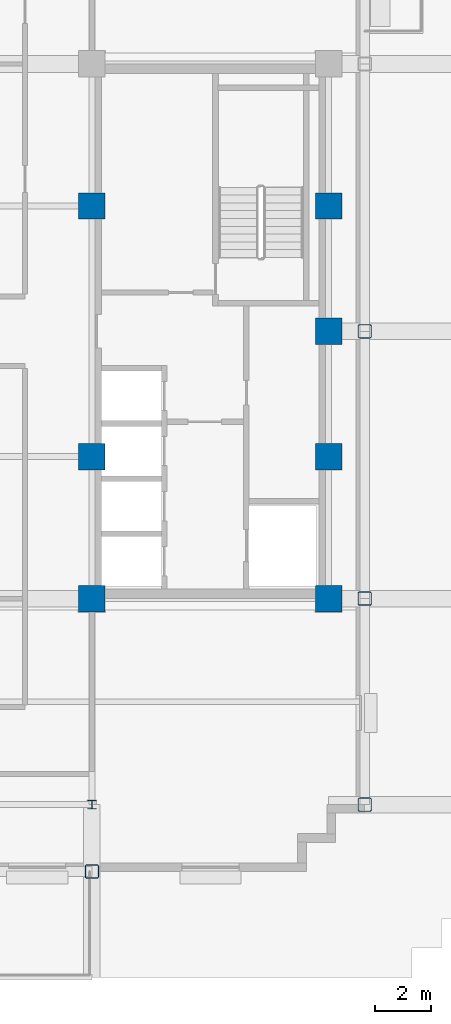
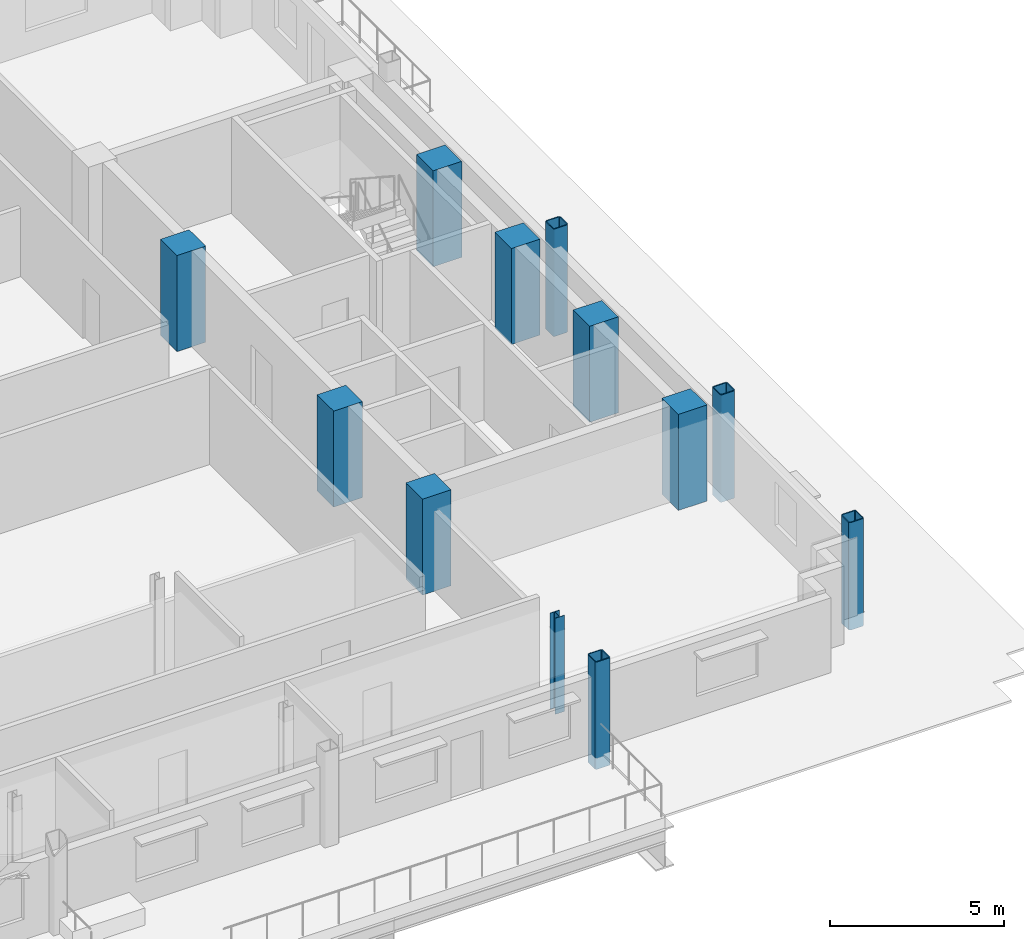
# One storey, part 2 of 16: 12 columns.
"""IFC4 building model written with IfcOpenShell, lengths in metres."""

from ifc_helpers import new_model, si_unit, direction, frame, origin, origin_2d, place, context, subcontext, project, spatial, rectangle, hollow_rectangle, i_section, extrude, material, material_profile, profile_set, type_object, element, save


model = new_model("IFC4")

# Units and contexts
model_context = context("Model", 3, precision=1e-05, world=origin(), true_north=direction((0.0, 1.0)))
body_context = subcontext(model_context, "Body", "Model", "MODEL_VIEW")
ifc_project = project(units=[si_unit("LENGTHUNIT", "METRE"), si_unit("AREAUNIT", "SQUARE_METRE"), si_unit("VOLUMEUNIT", "CUBIC_METRE"), si_unit("PLANEANGLEUNIT", "RADIAN"), si_unit("MASSUNIT", "GRAM", prefix="KILO")], contexts=[model_context])

# Site, building, storey
site_placement = place(None, origin())
site = spatial("IfcSite", under=ifc_project, at=site_placement, CompositionType="ELEMENT")
building_placement = place(site_placement, origin())
building = spatial("IfcBuilding", under=site, at=building_placement, Name="Nuvemarco Arch Tower", CompositionType="ELEMENT")
storey_placement = place(building_placement, frame((0.0, 0.0, 209.14990234375)))
storey = spatial("IfcBuildingStorey", under=building, at=storey_placement, Name="L55", CompositionType="ELEMENT", Elevation=209.14990234375)

# Columns
ifc_material_1 = material(Name="Concrete C50/60", Category="concrete")
ifc_material_profile_1 = material_profile(ifc_material_1, rectangle(XDim=0.949951171875, YDim=0.949951171875, at=origin_2d()), Name="RC-COL-950x950")
ifc_profile_set_1 = profile_set([ifc_material_profile_1], Name="Concrete C50/60")
column_type_1 = type_object("IfcColumnType", Name="COL-CORE-950", PredefinedType="COLUMN", material=ifc_profile_set_1)
for number, where, z_axis, x_axis, name in (
    (1, (9.0, -9.60009765625, 0.0), (0.0, 0.0, 1.0), (1.0, 0.0, 0.0), "L55 column CC_+9.0_-9.6"),
    (2, (9.0, -4.5, 0.0), (0.0, 0.0, 1.0), (1.0, 0.0, 0.0), "L55 column CC_+9.0_-4.5"),
    (3, (9.0, 4.5, 0.0), (0.0, 0.0, 1.0), (1.0, 0.0, 0.0), "L55 column CC_+9.0_+4.5"),
    (4, (17.5, -9.60009765625, 0.0), (0.0, 0.0, 1.0), (1.0, 0.0, 0.0), "L55 column CC_+17.5_-9.6"),
    (5, (17.5, -4.5, 0.0), (0.0, 0.0, 1.0), (1.0, 0.0, 0.0), "L55 column CC_+17.5_-4.5"),
    (6, (17.5, 4.5, 0.0), (0.0, 0.0, 1.0), (1.0, 0.0, 0.0), "L55 column CC_+17.5_+4.5"),
    (7, (17.5, 0.0, 0.0), (0.0, 0.0, 1.0), (1.0, 0.0, 0.0), "L55 column CC_+17.5_+0.0"),
):
    element("IfcColumn", number, at=place(storey_placement, frame(where, z_axis=z_axis, x_axis=x_axis)), inside=storey, type_object=column_type_1, Name=name, PredefinedType="COLUMN", context=body_context, shape_type="SweptSolid", body=[
        extrude(rectangle(XDim=0.949951171875, YDim=0.949951171875, at=origin_2d()), origin(), (0.0, 0.0, 1.0), 3.3701171875),
    ])
ifc_material_2 = material(Name="Steel S355", Category="steel")
ifc_material_profile_2 = material_profile(ifc_material_2, hollow_rectangle(XDim=0.5, YDim=0.5, WallThickness=0.031982421875, InnerFilletRadius=0.031982421875, OuterFilletRadius=0.06396484375, at=origin_2d()), Name="SHS500x500x32")
ifc_profile_set_2 = profile_set([ifc_material_profile_2], Name="Steel S355")
column_type_2 = type_object("IfcColumnType", Name="COL-EXO-500", PredefinedType="COLUMN", material=ifc_profile_set_2)
for number, where, z_axis, x_axis, name in (
    (8, (18.800048828125, -17.0, -0.39990234375), (0.0, 0.0, 1.0), (1.0, 0.0, 0.0), "L55 column CX_+18.8_-17.0"),
    (9, (18.800048828125, -9.60009765625, -0.39990234375), (0.0, 0.0, 1.0), (1.0, 0.0, 0.0), "L55 column CX_+18.8_-9.6"),
    (10, (18.800048828125, 0.0, -0.39990234375), (0.0, 0.0, 1.0), (1.0, 0.0, 0.0), "L55 column CX_+18.8_+0.0"),
    (11, (9.0, -19.39990234375, -0.39990234375), (0.0, 0.0, 1.0), (1.0, 0.0, 0.0), "L55 column CY_+9.0_-19.4"),
):
    element("IfcColumn", number, at=place(storey_placement, frame(where, z_axis=z_axis, x_axis=x_axis)), inside=storey, type_object=column_type_2, Name=name, PredefinedType="COLUMN", context=body_context, shape_type="SweptSolid", body=[
        extrude(hollow_rectangle(XDim=0.5, YDim=0.5, WallThickness=0.031982421875, InnerFilletRadius=0.031982421875, OuterFilletRadius=0.06396484375, at=origin_2d()), origin(), (0.0, 0.0, 1.0), 3.77001953125),
    ])
ifc_material_profile_3 = material_profile(ifc_material_2, i_section(OverallWidth=0.31005859375, OverallDepth=0.31005859375, WebThickness=0.015380859375, FlangeThickness=0.015380859375, FilletRadius=0.014892578125, at=origin_2d()), Name="HP310x110")
ifc_profile_set_3 = profile_set([ifc_material_profile_3], Name="Steel S355")
column_type_3 = type_object("IfcColumnType", Name="COL-STL-HP310", PredefinedType="COLUMN", material=ifc_profile_set_3)
column_placement = place(storey_placement, frame((9.0, -17.0, 0.0), z_axis=(0.0, 0.0, 1.0), x_axis=(1.0, 0.0, 0.0)))
element("IfcColumn", 12, at=column_placement, inside=storey, type_object=column_type_3, Name="L55 column CI_+9.0_-17.0", PredefinedType="COLUMN", context=body_context, shape_type="SweptSolid", body=[
    extrude(i_section(OverallWidth=0.31005859375, OverallDepth=0.31005859375, WebThickness=0.015380859375, FlangeThickness=0.015380859375, FilletRadius=0.014892578125, at=origin_2d()), origin(), (0.0, 0.0, 1.0), 3.3701171875),
])

save(model, "model.ifc")
